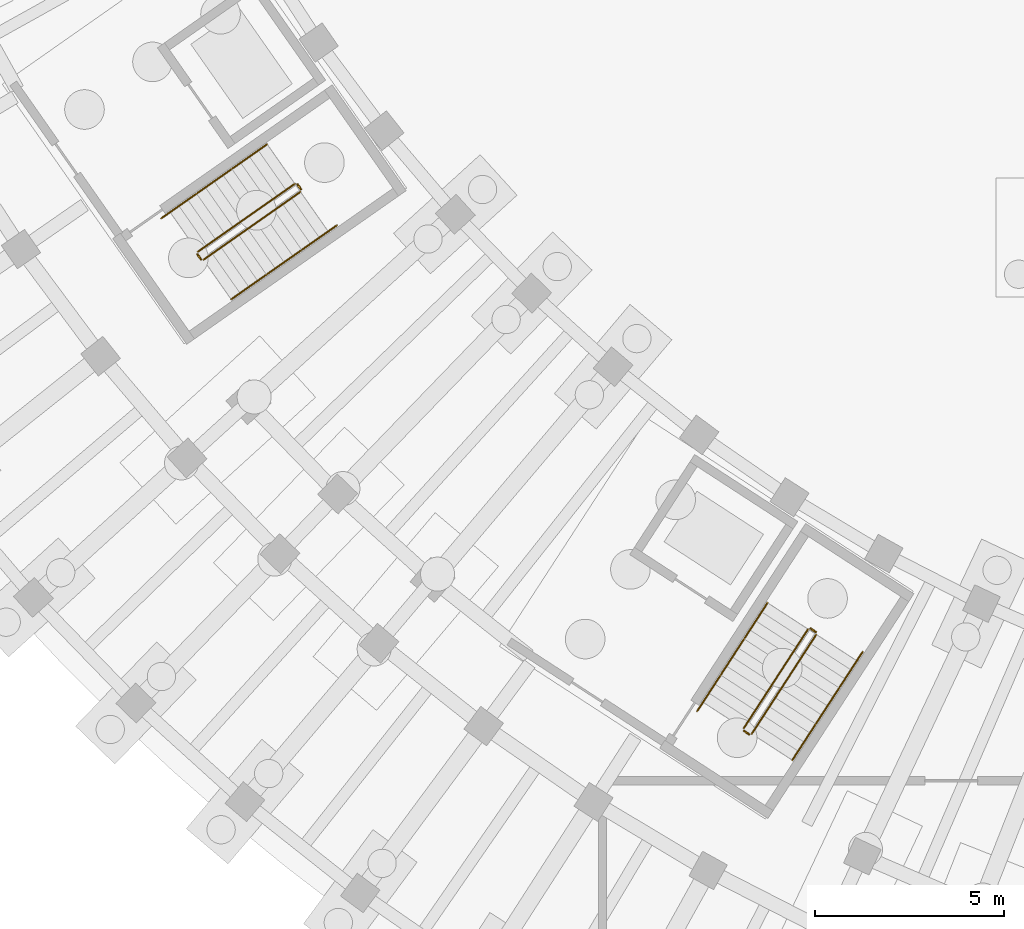
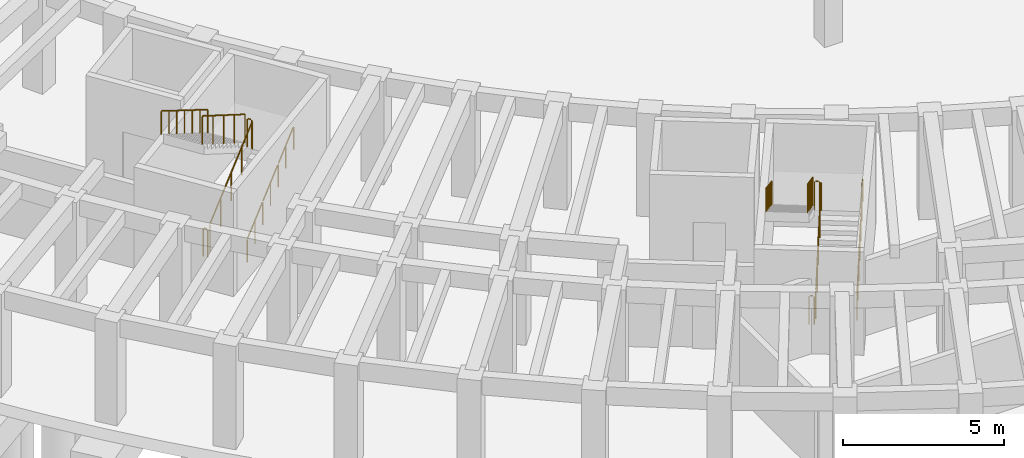
# One storey, part 25 of 29: 20 railings.
"""IFC4 building model written with IfcOpenShell, lengths in metres."""

from ifc_helpers import new_model, si_unit, direction, frame, origin, origin_2d, place, context, subcontext, project, spatial, circle, extrude, material, type_object, element, save


model = new_model("IFC4")

# Units and contexts
model_context = context("Model", 3, precision=1e-05, world=origin(), true_north=direction((0.0, 1.0)))
body_context = subcontext(model_context, "Body", "Model", "MODEL_VIEW")
ifc_project = project(units=[si_unit("LENGTHUNIT", "METRE"), si_unit("AREAUNIT", "SQUARE_METRE"), si_unit("VOLUMEUNIT", "CUBIC_METRE"), si_unit("PLANEANGLEUNIT", "RADIAN"), si_unit("MASSUNIT", "GRAM", prefix="KILO")], contexts=[model_context])

# Site, building, storey
site_placement = place(None, origin())
site = spatial("IfcSite", under=ifc_project, at=site_placement, CompositionType="ELEMENT")
building_placement = place(site_placement, origin())
building = spatial("IfcBuilding", under=site, at=building_placement, Name="Tanwirah Colonnade Gardens", CompositionType="ELEMENT")
storey_placement = place(building_placement, frame((0.0, 0.0, -4.199951171875)))
storey = spatial("IfcBuildingStorey", under=building, at=storey_placement, Name="B1", CompositionType="ELEMENT", Elevation=-4.199951171875)

# Railings
ifc_material_1 = material(Name="Powder-coated galvanized steel", Category="steel")
railing_type_1 = type_object("IfcRailingType", Name="GRD-ST110", PredefinedType="GUARDRAIL", material=ifc_material_1)
railing_1_placement = place(storey_placement, frame((25.426513671875, 33.40869140625, 0.175048828125)))
element("IfcRailing", 1, at=railing_1_placement, inside=storey, type_object=railing_type_1, Name="B1 ST-C1 stair guard 1", PredefinedType="GUARDRAIL", context=body_context, shape_type="SweptSolid", body=[
    extrude(circle(Radius=0.02392578125, at=origin_2d()), frame((0.021728515625, 0.015380859375, 1.092529296875), z_axis=(0.698059583168, 0.488800991637, 0.523246030966), x_axis=(-0.573587782282, 0.819144099666, 0.0)), (0.0, 0.0, 1.0), 3.615966796875),
    extrude(circle(Radius=0.02099609375, at=origin_2d()), origin(), (0.0, 0.0, 1.0), 1.049072265625),
    extrude(circle(Radius=0.02099609375, at=origin_2d()), frame((0.64208984375, 0.449462890625, 0.481201171875)), (0.0, 0.0, 1.0), 1.049072265625),
    extrude(circle(Radius=0.02099609375, at=origin_2d()), frame((1.283935546875, 0.89892578125, 0.96240234375)), (0.0, 0.0, 1.0), 1.049072265625),
    extrude(circle(Radius=0.02099609375, at=origin_2d()), frame((1.92578125, 1.3486328125, 1.443603515625)), (0.0, 0.0, 1.0), 1.049072265625),
    extrude(circle(Radius=0.02099609375, at=origin_2d()), frame((2.56787109375, 1.798095703125, 1.9248046875)), (0.0, 0.0, 1.0), 1.049072265625),
])
railing_2_placement = place(storey_placement, frame((28.0068359375, 35.276611328125, 2.099853515625)))
element("IfcRailing", 2, at=railing_2_placement, inside=storey, type_object=railing_type_1, Name="B1 ST-C1 stair guard 2", PredefinedType="GUARDRAIL", context=body_context, shape_type="SweptSolid", body=[
    extrude(circle(Radius=0.02392578125, at=origin_2d()), frame((-0.017822265625, 0.025634765625, 1.076171875), z_axis=(-0.57356471828, 0.819160249246, 0.0), x_axis=(-0.819160249246, -0.57356471828, 0.0)), (0.0, 0.0, 1.0), 0.097412109375),
    extrude(circle(Radius=0.02099609375, at=origin_2d()), origin(), (0.0, 0.0, 1.0), 1.049072265625),
    extrude(circle(Radius=0.02099609375, at=origin_2d()), frame((-0.091796875, 0.131103515625, 0.0)), (0.0, 0.0, 1.0), 1.049072265625),
])
railing_3_placement = place(storey_placement, frame((27.84521484375, 35.419921875, 2.27490234375)))
element("IfcRailing", 3, at=railing_3_placement, inside=storey, type_object=railing_type_1, Name="B1 ST-C1 stair guard 3", PredefinedType="GUARDRAIL", context=body_context, shape_type="SweptSolid", body=[
    extrude(circle(Radius=0.02392578125, at=origin_2d()), frame((-0.021728515625, -0.015380859375, 1.092529296875), z_axis=(-0.69803534149, -0.488784016931, 0.523294225865), x_axis=(0.573587782282, -0.819144099666, 0.0)), (0.0, 0.0, 1.0), 3.6162109375),
    extrude(circle(Radius=0.02099609375, at=origin_2d()), origin(), (0.0, 0.0, 1.0), 1.049072265625),
    extrude(circle(Radius=0.02099609375, at=origin_2d()), frame((-0.64208984375, -0.449462890625, 0.481201171875)), (0.0, 0.0, 1.0), 1.049072265625),
    extrude(circle(Radius=0.02099609375, at=origin_2d()), frame((-1.283935546875, -0.89892578125, 0.96240234375)), (0.0, 0.0, 1.0), 1.049072265625),
    extrude(circle(Radius=0.02099609375, at=origin_2d()), frame((-1.92578125, -1.3486328125, 1.44384765625)), (0.0, 0.0, 1.0), 1.049072265625),
    extrude(circle(Radius=0.02099609375, at=origin_2d()), frame((-2.56787109375, -1.798095703125, 1.925048828125)), (0.0, 0.0, 1.0), 1.049072265625),
])
railing_4_placement = place(storey_placement, frame((25.356689453125, 33.4208984375, 0.0)))
element("IfcRailing", 4, at=railing_4_placement, inside=storey, type_object=railing_type_1, Name="B1 ST-C1 stair guard 4", PredefinedType="GUARDRAIL", context=body_context, shape_type="SweptSolid", body=[
    extrude(circle(Radius=0.02392578125, at=origin_2d()), frame((-0.017822265625, 0.025634765625, 1.076171875), z_axis=(-0.57356471828, 0.819160249246, 0.0), x_axis=(-0.819160249246, -0.57356471828, 0.0)), (0.0, 0.0, 1.0), 0.097412109375),
    extrude(circle(Radius=0.02099609375, at=origin_2d()), origin(), (0.0, 0.0, 1.0), 1.049072265625),
    extrude(circle(Radius=0.02099609375, at=origin_2d()), frame((-0.091796875, 0.131103515625, 0.0)), (0.0, 0.0, 1.0), 1.049072265625),
])
railing_5_placement = place(storey_placement, frame((39.955078125, 20.84814453125, 0.175048828125)))
element("IfcRailing", 5, at=railing_5_placement, inside=storey, type_object=railing_type_1, Name="B1 ST-C2 stair guard 1", PredefinedType="GUARDRAIL", context=body_context, shape_type="SweptSolid", body=[
    extrude(circle(Radius=0.02392578125, at=origin_2d()), frame((0.014404296875, 0.0224609375, 1.092529296875), z_axis=(0.464110159517, 0.714715044736, 0.523243886405), x_axis=(-0.83868730023, 0.544613268689, 0.0)), (0.0, 0.0, 1.0), 3.615966796875),
    extrude(circle(Radius=0.02099609375, at=origin_2d()), origin(), (0.0, 0.0, 1.0), 1.049072265625),
    extrude(circle(Radius=0.02099609375, at=origin_2d()), frame((0.4267578125, 0.6572265625, 0.481201171875)), (0.0, 0.0, 1.0), 1.049072265625),
    extrude(circle(Radius=0.02099609375, at=origin_2d()), frame((0.853515625, 1.314453125, 0.96240234375)), (0.0, 0.0, 1.0), 1.049072265625),
    extrude(circle(Radius=0.02099609375, at=origin_2d()), frame((1.280517578125, 1.971923828125, 1.443603515625)), (0.0, 0.0, 1.0), 1.049072265625),
    extrude(circle(Radius=0.02099609375, at=origin_2d()), frame((1.707275390625, 2.629150390625, 1.9248046875)), (0.0, 0.0, 1.0), 1.049072265625),
])
railing_6_placement = place(storey_placement, frame((41.647705078125, 23.546630859375, 2.099853515625)))
element("IfcRailing", 6, at=railing_6_placement, inside=storey, type_object=railing_type_1, Name="B1 ST-C2 stair guard 2", PredefinedType="GUARDRAIL", context=body_context, shape_type="SweptSolid", body=[
    extrude(circle(Radius=0.02392578125, at=origin_2d()), frame((-0.026123046875, 0.01708984375, 1.076171875), z_axis=(-0.838338936283, 0.545149362938, 0.0), x_axis=(-0.545149362938, -0.838338936283, 0.0)), (0.0, 0.0, 1.0), 0.097412109375),
    extrude(circle(Radius=0.02099609375, at=origin_2d()), origin(), (0.0, 0.0, 1.0), 1.049072265625),
    extrude(circle(Radius=0.02099609375, at=origin_2d()), frame((-0.134033203125, 0.087158203125, 0.0)), (0.0, 0.0, 1.0), 1.049072265625),
])
railing_7_placement = place(storey_placement, frame((41.4443359375, 23.618896484375, 2.27490234375)))
element("IfcRailing", 7, at=railing_7_placement, inside=storey, type_object=railing_type_1, Name="B1 ST-C2 stair guard 3", PredefinedType="GUARDRAIL", context=body_context, shape_type="SweptSolid", body=[
    extrude(circle(Radius=0.02392578125, at=origin_2d()), frame((-0.014404296875, -0.0224609375, 1.092529296875), z_axis=(-0.464094042387, -0.714690224863, 0.523292081256), x_axis=(0.83868730023, -0.544613268689, 0.0)), (0.0, 0.0, 1.0), 3.6162109375),
    extrude(circle(Radius=0.02099609375, at=origin_2d()), origin(), (0.0, 0.0, 1.0), 1.049072265625),
    extrude(circle(Radius=0.02099609375, at=origin_2d()), frame((-0.4267578125, -0.6572265625, 0.481201171875)), (0.0, 0.0, 1.0), 1.049072265625),
    extrude(circle(Radius=0.02099609375, at=origin_2d()), frame((-0.853515625, -1.314453125, 0.96240234375)), (0.0, 0.0, 1.0), 1.049072265625),
    extrude(circle(Radius=0.02099609375, at=origin_2d()), frame((-1.280517578125, -1.971923828125, 1.44384765625)), (0.0, 0.0, 1.0), 1.049072265625),
    extrude(circle(Radius=0.02099609375, at=origin_2d()), frame((-1.707275390625, -2.629150390625, 1.925048828125)), (0.0, 0.0, 1.0), 1.049072265625),
])
railing_8_placement = place(storey_placement, frame((39.8857421875, 20.83349609375, 0.0)))
element("IfcRailing", 8, at=railing_8_placement, inside=storey, type_object=railing_type_1, Name="B1 ST-C2 stair guard 4", PredefinedType="GUARDRAIL", context=body_context, shape_type="SweptSolid", body=[
    extrude(circle(Radius=0.02392578125, at=origin_2d()), frame((-0.026123046875, 0.01708984375, 1.076171875), z_axis=(-0.838338936283, 0.545149362938, 0.0), x_axis=(-0.545149362938, -0.838338936283, 0.0)), (0.0, 0.0, 1.0), 0.097412109375),
    extrude(circle(Radius=0.02099609375, at=origin_2d()), origin(), (0.0, 0.0, 1.0), 1.049072265625),
    extrude(circle(Radius=0.02099609375, at=origin_2d()), frame((-0.134033203125, 0.087158203125, 0.0)), (0.0, 0.0, 1.0), 1.049072265625),
])
ifc_material_2 = material(Name="Brushed bronze stainless steel", Category="steel")
railing_type_2 = type_object("IfcRailingType", Name="HR-ST090", PredefinedType="HANDRAIL", material=ifc_material_2)
railing_9_placement = place(storey_placement, frame((26.16064453125, 32.360107421875, 0.175048828125)))
element("IfcRailing", 9, at=railing_9_placement, inside=storey, type_object=railing_type_2, Name="B1 ST-C1 stair handrail 1", PredefinedType="HANDRAIL", context=body_context, shape_type="SweptSolid", body=[
    extrude(circle(Radius=0.02392578125, at=origin_2d()), frame((0.021728515625, 0.01513671875, 0.892333984375), z_axis=(0.696427379994, 0.487772274772, 0.526371648513), x_axis=(-0.573677900503, 0.81908098896, 0.0)), (0.0, 0.0, 1.0), 1.2783203125),
    extrude(circle(Radius=0.02099609375, at=origin_2d()), origin(), (0.0, 0.0, 1.0), 0.848876953125),
    extrude(circle(Radius=0.02099609375, at=origin_2d()), frame((0.466796875, 0.3271484375, 0.35302734375)), (0.0, 0.0, 1.0), 0.848876953125),
    extrude(circle(Radius=0.02099609375, at=origin_2d()), frame((0.933837890625, 0.654052734375, 0.705810546875)), (0.0, 0.0, 1.0), 0.848876953125),
])
for number, where, name in (
    (10, (27.094482421875, 33.01416015625, 0.880859375), "B1 ST-C1 stair handrail 2"),
    (11, (28.0283203125, 33.66796875, 1.5869140625), "B1 ST-C1 stair handrail 3"),
):
    element("IfcRailing", number, at=place(storey_placement, frame(where)), inside=storey, type_object=railing_type_2, Name=name, PredefinedType="HANDRAIL", context=body_context, shape_type="SweptSolid", body=[
        extrude(circle(Radius=0.02392578125, at=origin_2d()), frame((0.021728515625, 0.01513671875, 0.892333984375), z_axis=(0.696422462548, 0.487586759399, 0.526550003056), x_axis=(-0.573534209649, 0.819181610122, 0.0)), (0.0, 0.0, 1.0), 1.2783203125),
        extrude(circle(Radius=0.02099609375, at=origin_2d()), origin(), (0.0, 0.0, 1.0), 0.848876953125),
        extrude(circle(Radius=0.02099609375, at=origin_2d()), frame((0.466796875, 0.326904296875, 0.35302734375)), (0.0, 0.0, 1.0), 0.848876953125),
        extrude(circle(Radius=0.02099609375, at=origin_2d()), frame((0.933837890625, 0.65380859375, 0.7060546875)), (0.0, 0.0, 1.0), 0.848876953125),
    ])
railing_10_placement = place(storey_placement, frame((27.111083984375, 36.468505859375, 2.27490234375)))
element("IfcRailing", 12, at=railing_10_placement, inside=storey, type_object=railing_type_2, Name="B1 ST-C1 stair handrail 4", PredefinedType="HANDRAIL", context=body_context, shape_type="SweptSolid", body=[
    extrude(circle(Radius=0.02392578125, at=origin_2d()), frame((-0.021728515625, -0.01513671875, 0.892333984375), z_axis=(-0.696360633971, -0.487725526382, 0.526503255803), x_axis=(0.573677900503, -0.81908098896, 0.0)), (0.0, 0.0, 1.0), 1.278564453125),
    extrude(circle(Radius=0.02099609375, at=origin_2d()), origin(), (0.0, 0.0, 1.0), 0.848876953125),
    extrude(circle(Radius=0.02099609375, at=origin_2d()), frame((-0.466796875, -0.3271484375, 0.35302734375)), (0.0, 0.0, 1.0), 0.848876953125),
    extrude(circle(Radius=0.02099609375, at=origin_2d()), frame((-0.933837890625, -0.654052734375, 0.7060546875)), (0.0, 0.0, 1.0), 0.848876953125),
])
for number, where, name in (
    (13, (26.17724609375, 35.814453125, 2.98095703125), "B1 ST-C1 stair handrail 5"),
    (14, (25.243408203125, 35.16064453125, 3.68701171875), "B1 ST-C1 stair handrail 6"),
):
    element("IfcRailing", number, at=place(storey_placement, frame(where)), inside=storey, type_object=railing_type_2, Name=name, PredefinedType="HANDRAIL", context=body_context, shape_type="SweptSolid", body=[
        extrude(circle(Radius=0.02392578125, at=origin_2d()), frame((-0.021728515625, -0.01513671875, 0.892333984375), z_axis=(-0.696422462548, -0.487586759399, 0.526550003056), x_axis=(0.573534209649, -0.819181610122, 0.0)), (0.0, 0.0, 1.0), 1.2783203125),
        extrude(circle(Radius=0.02099609375, at=origin_2d()), origin(), (0.0, 0.0, 1.0), 0.848876953125),
        extrude(circle(Radius=0.02099609375, at=origin_2d()), frame((-0.466796875, -0.326904296875, 0.35302734375)), (0.0, 0.0, 1.0), 0.848876953125),
        extrude(circle(Radius=0.02099609375, at=origin_2d()), frame((-0.933837890625, -0.65380859375, 0.7060546875)), (0.0, 0.0, 1.0), 0.848876953125),
    ])
railing_11_placement = place(storey_placement, frame((41.028564453125, 20.151123046875, 0.175048828125)))
element("IfcRailing", 15, at=railing_11_placement, inside=storey, type_object=railing_type_2, Name="B1 ST-C2 stair handrail 1", PredefinedType="HANDRAIL", context=body_context, shape_type="SweptSolid", body=[
    extrude(circle(Radius=0.02392578125, at=origin_2d()), frame((0.014404296875, 0.022216796875, 0.892333984375), z_axis=(0.463054631446, 0.713064072648, 0.526421918801), x_axis=(-0.838678407117, 0.544626963559, 0.0)), (0.0, 0.0, 1.0), 1.2783203125),
    extrude(circle(Radius=0.02099609375, at=origin_2d()), origin(), (0.0, 0.0, 1.0), 0.848876953125),
    extrude(circle(Radius=0.02099609375, at=origin_2d()), frame((0.310546875, 0.47802734375, 0.35302734375)), (0.0, 0.0, 1.0), 0.848876953125),
    extrude(circle(Radius=0.02099609375, at=origin_2d()), frame((0.620849609375, 0.9560546875, 0.705810546875)), (0.0, 0.0, 1.0), 0.848876953125),
])
for number, where, name in (
    (16, (41.6494140625, 21.107177734375, 0.880859375), "B1 ST-C2 stair handrail 2"),
    (17, (42.270263671875, 22.063232421875, 1.5869140625), "B1 ST-C2 stair handrail 3"),
):
    element("IfcRailing", number, at=place(storey_placement, frame(where)), inside=storey, type_object=railing_type_2, Name=name, PredefinedType="HANDRAIL", context=body_context, shape_type="SweptSolid", body=[
        extrude(circle(Radius=0.02392578125, at=origin_2d()), frame((0.014404296875, 0.022216796875, 0.892333984375), z_axis=(0.463010243534, 0.712995719103, 0.526553529021), x_axis=(-0.838678407117, 0.544626963559, 0.0)), (0.0, 0.0, 1.0), 1.2783203125),
        extrude(circle(Radius=0.02099609375, at=origin_2d()), origin(), (0.0, 0.0, 1.0), 0.848876953125),
        extrude(circle(Radius=0.02099609375, at=origin_2d()), frame((0.310546875, 0.47802734375, 0.35302734375)), (0.0, 0.0, 1.0), 0.848876953125),
        extrude(circle(Radius=0.02099609375, at=origin_2d()), frame((0.620849609375, 0.9560546875, 0.7060546875)), (0.0, 0.0, 1.0), 0.848876953125),
    ])
for number, where, name in (
    (18, (40.370849609375, 24.316162109375, 2.27490234375), "B1 ST-C2 stair handrail 4"),
    (19, (39.75, 23.360107421875, 2.98095703125), "B1 ST-C2 stair handrail 5"),
    (20, (39.129150390625, 22.404052734375, 3.68701171875), "B1 ST-C2 stair handrail 6"),
):
    element("IfcRailing", number, at=place(storey_placement, frame(where)), inside=storey, type_object=railing_type_2, Name=name, PredefinedType="HANDRAIL", context=body_context, shape_type="SweptSolid", body=[
        extrude(circle(Radius=0.02392578125, at=origin_2d()), frame((-0.014404296875, -0.022216796875, 0.892333984375), z_axis=(-0.463010243534, -0.712995719103, 0.526553529021), x_axis=(0.838678407117, -0.544626963559, 0.0)), (0.0, 0.0, 1.0), 1.2783203125),
        extrude(circle(Radius=0.02099609375, at=origin_2d()), origin(), (0.0, 0.0, 1.0), 0.848876953125),
        extrude(circle(Radius=0.02099609375, at=origin_2d()), frame((-0.310546875, -0.47802734375, 0.35302734375)), (0.0, 0.0, 1.0), 0.848876953125),
        extrude(circle(Radius=0.02099609375, at=origin_2d()), frame((-0.620849609375, -0.9560546875, 0.7060546875)), (0.0, 0.0, 1.0), 0.848876953125),
    ])

save(model, "model.ifc")
